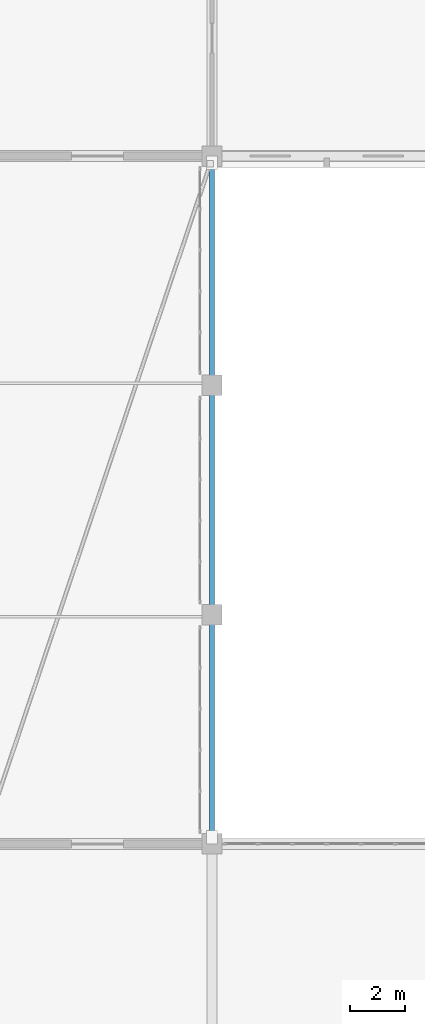
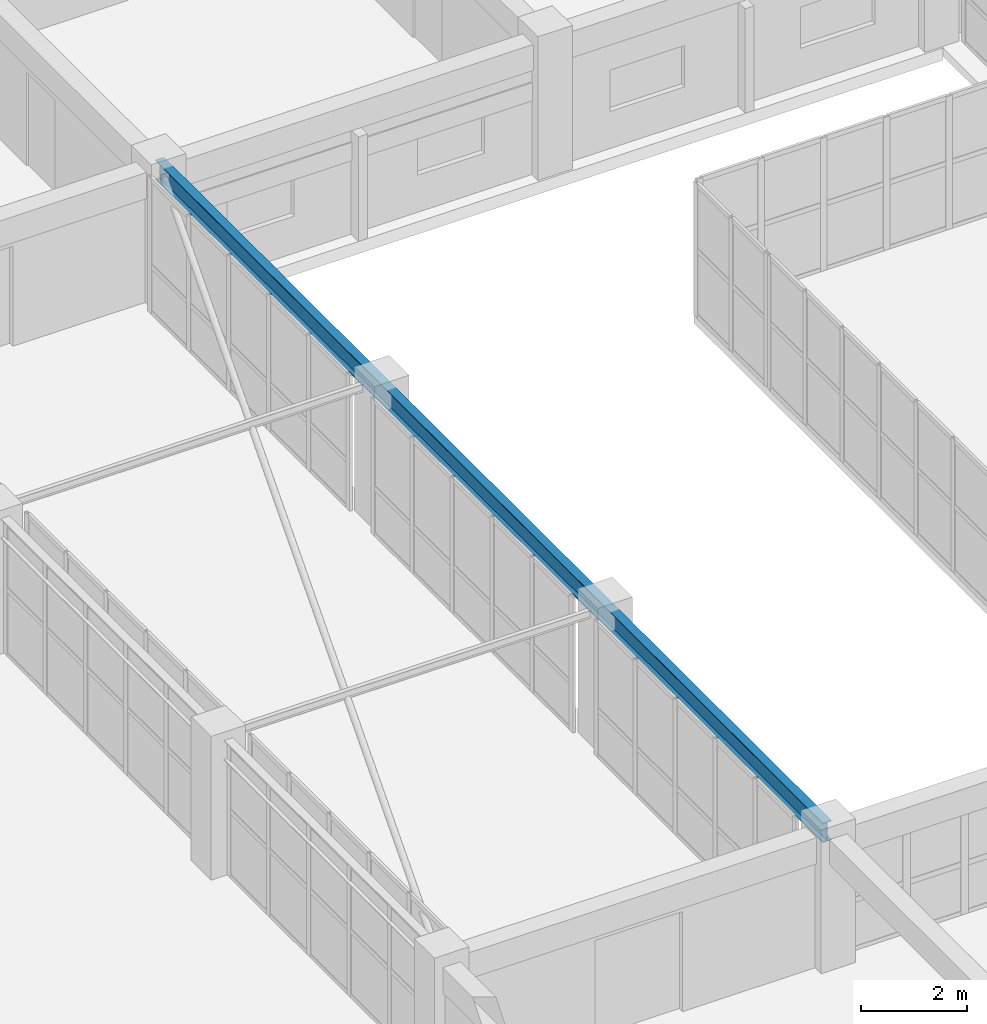
# One storey, part 104 of 200: 1 beam.
"""IFC4 building model written with IfcOpenShell, lengths in metres."""

from ifc_helpers import new_model, si_unit, direction, frame, origin, origin_2d, place, context, subcontext, project, spatial, i_section, extrude, material, material_profile, profile_set, type_object, element, save


model = new_model("IFC4")

# Units and contexts
model_context = context("Model", 3, precision=1e-05, world=origin(), true_north=direction((0.0, 1.0)))
body_context = subcontext(model_context, "Body", "Model", "MODEL_VIEW")
ifc_project = project(units=[si_unit("LENGTHUNIT", "METRE"), si_unit("AREAUNIT", "SQUARE_METRE"), si_unit("VOLUMEUNIT", "CUBIC_METRE"), si_unit("PLANEANGLEUNIT", "RADIAN"), si_unit("MASSUNIT", "GRAM", prefix="KILO")], contexts=[model_context])

# Site, building, storey
site_placement = place(None, origin())
site = spatial("IfcSite", under=ifc_project, at=site_placement, CompositionType="ELEMENT")
building_placement = place(site_placement, origin())
building = spatial("IfcBuilding", under=site, at=building_placement, Name="Trelvath General Hospital", CompositionType="ELEMENT")
storey_placement = place(building_placement, frame((0.0, 0.0, 4.800048828125)))
storey = spatial("IfcBuildingStorey", under=building, at=storey_placement, Name="L01", CompositionType="ELEMENT", Elevation=4.800048828125)

# Beam
ifc_material = material(Name="Steel S355", Category="steel")
ifc_material_profile = material_profile(ifc_material, i_section(OverallWidth=0.18994140625, OverallDepth=0.449951171875, WebThickness=0.009521484375, FlangeThickness=0.0146484375, at=origin_2d()), Name="IPE450")
ifc_profile_set = profile_set([ifc_material_profile], Name="Steel S355")
beam_type = type_object("IfcBeamType", Name="BridgeGirder IPE450", PredefinedType="BEAM", material=ifc_profile_set)
beam_placement = place(storey_placement, frame((84.0, 67.239990234375, 2.885009765625), z_axis=(0.0, 1.0, 0.0), x_axis=(-1.0, 0.0, 0.0)))
element("IfcBeam", 1, at=beam_placement, inside=storey, type_object=beam_type, Name="Bridge Girder BRG-N-C E L02", PredefinedType="BEAM", context=body_context, shape_type="SweptSolid", body=[
    extrude(i_section(OverallWidth=0.18994140625, OverallDepth=0.449951171875, WebThickness=0.009521484375, FlangeThickness=0.0146484375, at=origin_2d()), origin(), (0.0, 0.0, 1.0), 25.1201171875),
])

save(model, "model.ifc")
